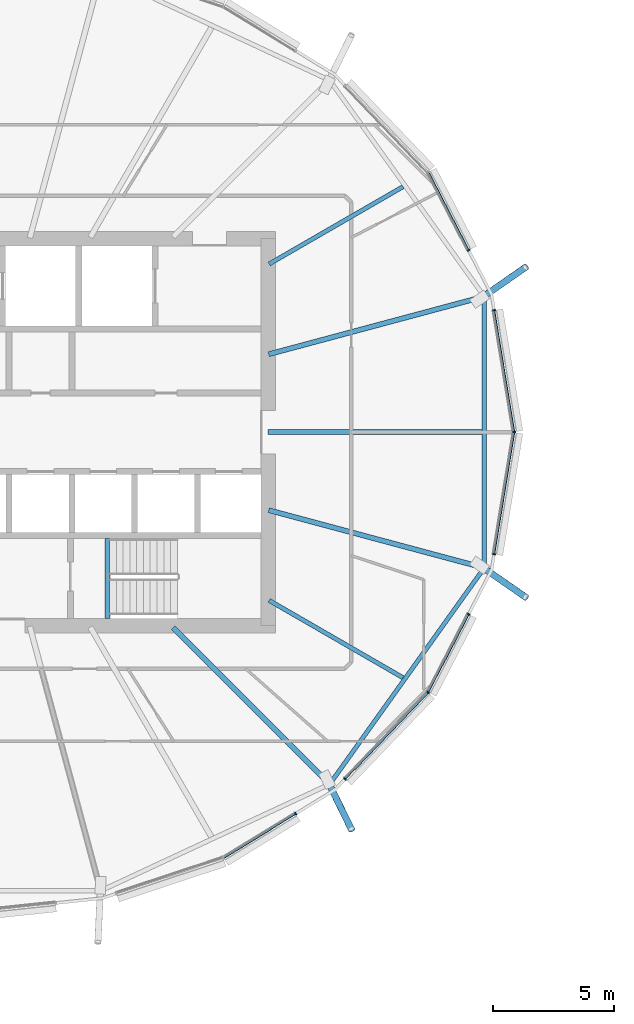
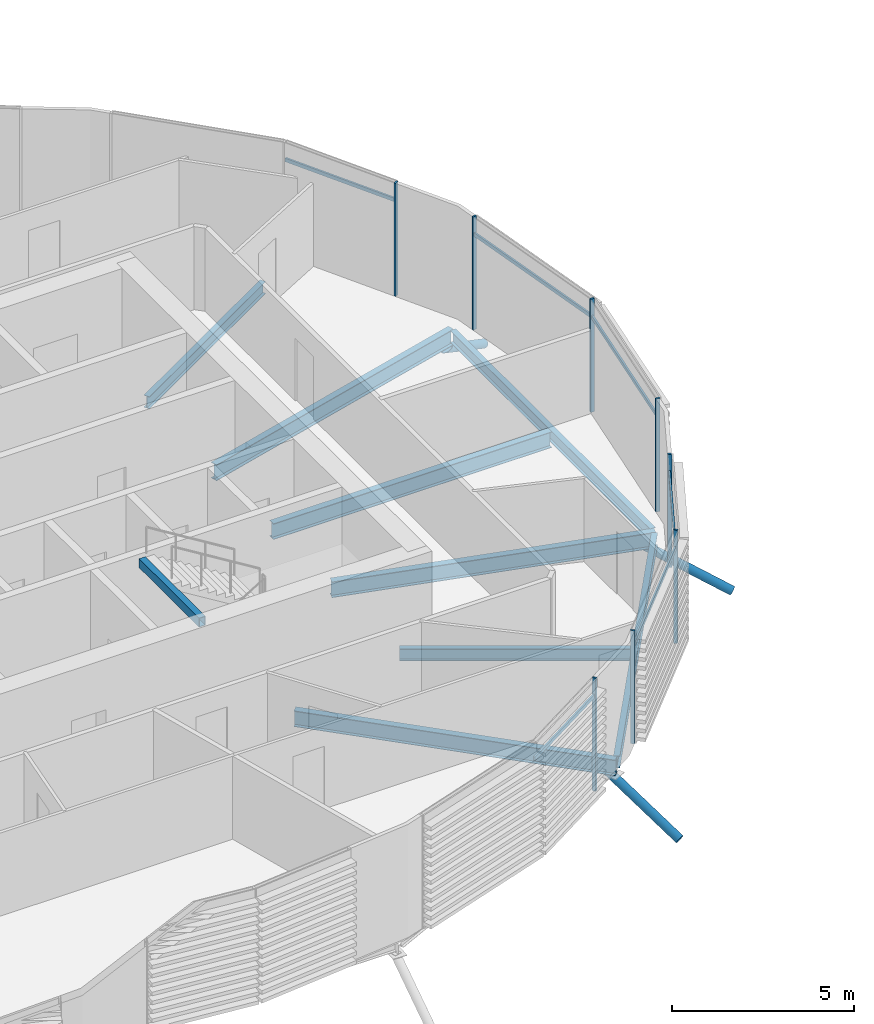
# One storey, part 6 of 36: 17 members, 9 beams, 1 element without a shape of its own.
"""IFC4 building model written with IfcOpenShell, lengths in metres."""

from ifc_helpers import new_model, si_unit, direction, frame, origin, origin_2d, place, context, subcontext, project, spatial, rectangle, hollow_rectangle, hollow_circle, i_section, extrude, clip, halfspace, material, material_profile, profile_set, type_object, element, aggregate, save


model = new_model("IFC4")

# Units and contexts
model_context = context("Model", 3, precision=1e-05, world=origin(), true_north=direction((0.0, 1.0)))
body_context = subcontext(model_context, "Body", "Model", "MODEL_VIEW")
ifc_project = project(units=[si_unit("LENGTHUNIT", "METRE"), si_unit("AREAUNIT", "SQUARE_METRE"), si_unit("VOLUMEUNIT", "CUBIC_METRE"), si_unit("PLANEANGLEUNIT", "RADIAN"), si_unit("MASSUNIT", "GRAM", prefix="KILO")], contexts=[model_context])

# Site, building, storey
site_placement = place(None, origin())
site = spatial("IfcSite", under=ifc_project, at=site_placement, CompositionType="ELEMENT")
building_placement = place(site_placement, origin())
building = spatial("IfcBuilding", under=site, at=building_placement, Name="Rimbun Link Towers", CompositionType="ELEMENT")
storey_placement = place(building_placement, frame((0.0, 0.0, 174.10009765625)))
storey = spatial("IfcBuildingStorey", under=building, at=storey_placement, Name="L42", CompositionType="ELEMENT", Elevation=174.10009765625)

# Curtain wall, members
ifc_material_1 = material(Name="Aluminium 6063-T6 and low-iron glass", Category="aluminium")
curtain_wall_type = type_object("IfcCurtainWallType", Name="CW1-Z3 unitised vision wall (zone 3)", PredefinedType="NOTDEFINED", material=ifc_material_1)
curtain_wall_placement = place(storey_placement, origin())
curtain_wall = element("IfcCurtainWall", 1, at=curtain_wall_placement, inside=storey, type_object=curtain_wall_type, Name="CW1 L42 T1", PredefinedType="NOTDEFINED")
ifc_material_2 = material(Name="Aluminium 6063-T6", Category="aluminium")
ifc_material_profile_1 = material_profile(ifc_material_2, rectangle(XDim=0.1201171875, YDim=0.06005859375, at=origin_2d()), Name="MULLION 60X120")
ifc_profile_set_1 = profile_set([ifc_material_profile_1], Name="Aluminium 6063-T6")
member_type_1 = type_object("IfcMemberType", Name="CW1 mullion 60X120", PredefinedType="MULLION", material=ifc_profile_set_1)
member_1_placement = place(storey_placement, frame((-10.400146484375, 5.044921875, 0.0), z_axis=(0.0, 0.0, 1.0), x_axis=(0.986749118387, 0.162253435593, 0.0)))
member_1 = element("IfcMember", 2, at=member_1_placement, type_object=member_type_1, Name="CW1 mullion", PredefinedType="MULLION", context=body_context, shape_type="SweptSolid", body=[
    extrude(rectangle(XDim=0.1201171875, YDim=0.06005859375, at=origin_2d()), origin(), (0.0, 0.0, 1.0), 3.7998046875),
])
member_2_placement = place(storey_placement, frame((-9.571533203125, 0.0, 0.0), z_axis=(0.0, 0.0, 1.0), x_axis=(1.0, 0.0, 0.0)))
member_2 = element("IfcMember", 3, at=member_2_placement, type_object=member_type_1, Name="CW1 mullion", PredefinedType="MULLION", context=body_context, shape_type="SweptSolid", body=[
    extrude(rectangle(XDim=0.1201171875, YDim=0.06005859375, at=origin_2d()), origin(), (0.0, 0.0, 1.0), 3.7998046875),
])
member_3_placement = place(storey_placement, frame((-11.45361328125, 7.524658203125, 0.0), z_axis=(0.0, 0.0, 1.0), x_axis=(0.888147060993, 0.459559352042, 0.0)))
member_3 = element("IfcMember", 4, at=member_3_placement, type_object=member_type_1, Name="CW1 mullion", PredefinedType="MULLION", context=body_context, shape_type="SweptSolid", body=[
    extrude(rectangle(XDim=0.1201171875, YDim=0.06005859375, at=origin_2d()), origin(), (0.0, 0.0, 1.0), 3.7998046875),
])
member_4_placement = place(storey_placement, frame((-18.6064453125, -15.776611328125, 0.0), z_axis=(0.0, 0.0, 1.0), x_axis=(0.523231382934, -0.852190659368, 0.0)))
member_4 = element("IfcMember", 5, at=member_4_placement, type_object=member_type_1, Name="CW1 mullion", PredefinedType="MULLION", context=body_context, shape_type="SweptSolid", body=[
    extrude(rectangle(XDim=0.1201171875, YDim=0.06005859375, at=origin_2d()), origin(), (0.0, 0.0, 1.0), 3.7998046875),
])
member_5_placement = place(storey_placement, frame((-13.127685546875, -10.75830078125, 0.0), z_axis=(0.0, 0.0, 1.0), x_axis=(0.813350034024, -0.581774631754, 0.0)))
member_5 = element("IfcMember", 6, at=member_5_placement, type_object=member_type_1, Name="CW1 mullion", PredefinedType="MULLION", context=body_context, shape_type="SweptSolid", body=[
    extrude(rectangle(XDim=0.1201171875, YDim=0.06005859375, at=origin_2d()), origin(), (0.0, 0.0, 1.0), 3.7998046875),
])
member_6_placement = place(storey_placement, frame((-16.56005859375, -14.339599609375, 0.0), z_axis=(0.0, 0.0, 1.0), x_axis=(0.721853979368, -0.692045397695, 0.0)))
member_6 = element("IfcMember", 7, at=member_6_placement, type_object=member_type_1, Name="CW1 mullion", PredefinedType="MULLION", context=body_context, shape_type="SweptSolid", body=[
    extrude(rectangle(XDim=0.1201171875, YDim=0.06005859375, at=origin_2d()), origin(), (0.0, 0.0, 1.0), 3.7998046875),
])
member_7_placement = place(storey_placement, frame((-11.45361328125, -7.524658203125, 0.0), z_axis=(0.0, 0.0, 1.0), x_axis=(0.888147060993, -0.459559352042, 0.0)))
member_7 = element("IfcMember", 8, at=member_7_placement, type_object=member_type_1, Name="CW1 mullion", PredefinedType="MULLION", context=body_context, shape_type="SweptSolid", body=[
    extrude(rectangle(XDim=0.1201171875, YDim=0.06005859375, at=origin_2d()), origin(), (0.0, 0.0, 1.0), 3.7998046875),
])
member_8_placement = place(storey_placement, frame((-10.400146484375, -5.044921875, 0.0), z_axis=(0.0, 0.0, 1.0), x_axis=(0.986749118387, -0.162253435593, 0.0)))
member_8 = element("IfcMember", 9, at=member_8_placement, type_object=member_type_1, Name="CW1 mullion", PredefinedType="MULLION", context=body_context, shape_type="SweptSolid", body=[
    extrude(rectangle(XDim=0.1201171875, YDim=0.06005859375, at=origin_2d()), origin(), (0.0, 0.0, 1.0), 3.7998046875),
])
ifc_material_3 = material(Name="Aluminium 6063-T6", Category="aluminium")
ifc_material_profile_2 = material_profile(ifc_material_3, rectangle(XDim=0.06005859375, YDim=0.1201171875, at=origin_2d()), Name="TRANSOM 60X120")
ifc_profile_set_2 = profile_set([ifc_material_profile_2], Name="Aluminium 6063-T6")
member_type_2 = type_object("IfcMemberType", Name="CW1 transom 60X120", PredefinedType="USERDEFINED", material=ifc_profile_set_2)
member_9_placement = place(storey_placement, frame((-10.397216796875, 5.014892578125, 3.199951171875), z_axis=(0.162239534615, -0.986751404057, 0.0), x_axis=(0.986751404057, 0.162239534615, 0.0)))
member_9 = element("IfcMember", 10, at=member_9_placement, type_object=member_type_2, Name="CW1 transom", ObjectType="TRANSOM", PredefinedType="USERDEFINED", context=body_context, shape_type="SweptSolid", body=[
    extrude(rectangle(XDim=0.06005859375, YDim=0.1201171875, at=origin_2d()), origin(), (0.0, 0.0, 1.0), 5.042724609375),
])
member_10_placement = place(storey_placement, frame((-13.111083984375, 10.723388671875, 3.199951171875), z_axis=(0.459580937927, -0.888135891345, 0.0), x_axis=(0.888135891345, 0.459580937927, 0.0)))
member_10 = element("IfcMember", 11, at=member_10_placement, type_object=member_type_2, Name="CW1 transom", ObjectType="TRANSOM", PredefinedType="USERDEFINED", context=body_context, shape_type="SweptSolid", body=[
    extrude(rectangle(XDim=0.06005859375, YDim=0.1201171875, at=origin_2d()), origin(), (0.0, 0.0, 1.0), 3.572509765625),
])
member_11_placement = place(storey_placement, frame((-18.633056640625, -15.79052734375, 3.199951171875), z_axis=(-0.852185129283, -0.523240389716, 0.0), x_axis=(0.523240389716, -0.852185129283, 0.0)))
member_11 = element("IfcMember", 12, at=member_11_placement, type_object=member_type_2, Name="CW1 transom", ObjectType="TRANSOM", PredefinedType="USERDEFINED", context=body_context, shape_type="SweptSolid", body=[
    extrude(rectangle(XDim=0.06005859375, YDim=0.1201171875, at=origin_2d()), origin(), (0.0, 0.0, 1.0), 3.43408203125),
])
member_12_placement = place(storey_placement, frame((-13.1552734375, -10.785400390625, 3.199951171875), z_axis=(-0.692052764793, -0.721846916418, 0.0), x_axis=(0.721846916418, -0.692052764793, 0.0)))
member_12 = element("IfcMember", 13, at=member_12_placement, type_object=member_type_2, Name="CW1 transom", ObjectType="TRANSOM", PredefinedType="USERDEFINED", context=body_context, shape_type="SweptSolid", body=[
    extrude(rectangle(XDim=0.06005859375, YDim=0.1201171875, at=origin_2d()), origin(), (0.0, 0.0, 1.0), 4.891845703125),
])
member_13_placement = place(storey_placement, frame((-11.46923828125, -7.550537109375, 3.199951171875), z_axis=(-0.459580937927, -0.888135891345, 0.0), x_axis=(0.888135891345, -0.459580937927, 0.0)))
member_13 = element("IfcMember", 14, at=member_13_placement, type_object=member_type_2, Name="CW1 transom", ObjectType="TRANSOM", PredefinedType="USERDEFINED", context=body_context, shape_type="SweptSolid", body=[
    extrude(rectangle(XDim=0.06005859375, YDim=0.1201171875, at=origin_2d()), origin(), (0.0, 0.0, 1.0), 3.572509765625),
])
member_14_placement = place(storey_placement, frame((-9.5791015625, -0.0390625, 3.199951171875), z_axis=(-0.162239534615, -0.986751404057, 0.0), x_axis=(0.986751404057, -0.162239534615, 0.0)))
member_14 = element("IfcMember", 15, at=member_14_placement, type_object=member_type_2, Name="CW1 transom", ObjectType="TRANSOM", PredefinedType="USERDEFINED", context=body_context, shape_type="SweptSolid", body=[
    extrude(rectangle(XDim=0.06005859375, YDim=0.1201171875, at=origin_2d()), origin(), (0.0, 0.0, 1.0), 5.042724609375),
])
aggregate(curtain_wall, [member_1, member_2, member_3, member_4, member_5, member_6, member_7, member_8, member_9, member_10, member_11, member_12, member_13, member_14])

# Members
ifc_material_4 = material(Name="Steel S355J2H", Category="steel")
ifc_material_profile_3 = material_profile(ifc_material_4, hollow_circle(Radius=0.136474609375, WallThickness=0.012451171875, at=origin_2d()), Name="CHS 273x12.5")
ifc_profile_set_3 = profile_set([ifc_material_profile_3], Name="Steel S355J2H")
member_type_3 = type_object("IfcMemberType", Name="Floor edge link CHS 273x12.5", PredefinedType="BRACE", material=ifc_profile_set_3)
member_15_placement = place(storey_placement, frame((-10.8603515625, 5.597412109375, -0.80126953125), z_axis=(0.713267069535, 0.495800471191, -0.495410920634), x_axis=(-0.570765530863, 0.821113091345, 0.0)))
element("IfcMember", 16, at=member_15_placement, inside=storey, type_object=member_type_3, Name="Floor edge link T1 L42 01", PredefinedType="BRACE", context=body_context, shape_type="Clipping", body=[
    clip(extrude(hollow_circle(Radius=0.136474609375, WallThickness=0.012451171875, at=origin_2d()), frame((0.0, 0.0, -0.498779296875)), (0.0, 0.0, 1.0), 3.005859375), halfspace(frame((0.0, 0.0, -0.234375), z_axis=(0.0, 0.868658747562, -0.495410920634)), False)),
])
member_16_placement = place(storey_placement, frame((-17.23583984375, -14.51416015625, -0.801025390625), z_axis=(0.381452024748, -0.778895993949, -0.49781058991), x_axis=(0.898084594322, 0.439822761396, 0.0)))
element("IfcMember", 17, at=member_16_placement, inside=storey, type_object=member_type_3, Name="Floor edge link T1 L42 21", PredefinedType="BRACE", context=body_context, shape_type="Clipping", body=[
    clip(extrude(hollow_circle(Radius=0.136474609375, WallThickness=0.012451171875, at=origin_2d()), frame((0.0, 0.0, -0.49560546875)), (0.0, 0.0, 1.0), 2.984130859375), halfspace(frame((0.0, 0.0, -0.232666015625), z_axis=(0.0, 0.867285775609, -0.49781058991)), False)),
])
member_17_placement = place(storey_placement, frame((-10.8603515625, -5.597412109375, -0.80126953125), z_axis=(0.713267069535, -0.495800471191, -0.495410920634), x_axis=(0.570765530863, 0.821113091345, 0.0)))
element("IfcMember", 18, at=member_17_placement, inside=storey, type_object=member_type_3, Name="Floor edge link T1 L42 23", PredefinedType="BRACE", context=body_context, shape_type="Clipping", body=[
    clip(extrude(hollow_circle(Radius=0.136474609375, WallThickness=0.012451171875, at=origin_2d()), frame((0.0, 0.0, -0.498779296875)), (0.0, 0.0, 1.0), 3.005859375), halfspace(frame((0.0, 0.0, -0.234375), z_axis=(0.0, 0.868658747562, -0.495410920634)), False)),
])

# Beams
ifc_material_5 = material(Name="Steel S355J2", Category="steel")
ifc_material_profile_4 = material_profile(ifc_material_5, hollow_rectangle(XDim=0.199951171875, YDim=0.300048828125, WallThickness=0.011962890625, at=origin_2d()), Name="BOX 300x200x12")
ifc_profile_set_4 = profile_set([ifc_material_profile_4], Name="Steel S355J2")
beam_type_1 = type_object("IfcBeamType", Name="Stair trimmer beam BOX 300x200x12", PredefinedType="BEAM", material=ifc_profile_set_4)
beam_1_placement = place(storey_placement, frame((-26.39990234375, -7.699951171875, 3.5), z_axis=(0.0, 1.0, 0.0), x_axis=(-1.0, 0.0, 0.0)))
element("IfcBeam", 19, at=beam_1_placement, inside=storey, type_object=beam_type_1, Name="L42 ST2 stair beam 1", PredefinedType="BEAM", context=body_context, shape_type="SweptSolid", body=[
    extrude(hollow_rectangle(XDim=0.199951171875, YDim=0.300048828125, WallThickness=0.011962890625, at=origin_2d()), origin(), (0.0, 0.0, 1.0), 3.300048828125),
])
ifc_material_6 = material(Name="Steel S355J2", Category="steel")
ifc_material_profile_5 = material_profile(ifc_material_6, i_section(OverallWidth=0.177978515625, OverallDepth=0.406494140625, WebThickness=0.0078125, FlangeThickness=0.0126953125, at=origin_2d()), Name="UB 406x178x60")
ifc_profile_set_5 = profile_set([ifc_material_profile_5], Name="Steel S355J2")
beam_type_2 = type_object("IfcBeamType", Name="UB 406x178x60", PredefinedType="BEAM", material=ifc_profile_set_5)
for number, where, z_axis, x_axis, name in (
    (20, (-19.70458984375, 6.954345703125, -0.353271484375), (0.866020885633, 0.500007825586, 0.0), (-0.500007825586, 0.866020885633, 0.0), "Radial beam T1 L42 02"),
    (21, (-19.70458984375, -6.954345703125, -0.353271484375), (0.866020885633, -0.500007825586, 0.0), (0.500007825586, 0.866020885633, 0.0), "Radial beam T1 L42 22"),
):
    element("IfcBeam", number, at=place(storey_placement, frame(where, z_axis=z_axis, x_axis=x_axis)), inside=storey, type_object=beam_type_2, Name=name, PredefinedType="BEAM", context=body_context, shape_type="SweptSolid", body=[
        extrude(i_section(OverallWidth=0.177978515625, OverallDepth=0.406494140625, WebThickness=0.0078125, FlangeThickness=0.0126953125, at=origin_2d()), origin(), (0.0, 0.0, 1.0), 6.3935546875),
    ])
beam_2_placement = place(storey_placement, frame((-17.13818359375, -14.46240234375, -0.353271484375), z_axis=(0.581422632699, 0.813601697506, 0.0), x_axis=(-0.813601697506, 0.581422632699, 0.0)))
element("IfcBeam", 22, at=beam_2_placement, inside=storey, type_object=beam_type_2, Name="Edge beam T1 L42 21-23", PredefinedType="BEAM", context=body_context, shape_type="SweptSolid", body=[
    extrude(i_section(OverallWidth=0.177978515625, OverallDepth=0.406494140625, WebThickness=0.0078125, FlangeThickness=0.0126953125, at=origin_2d()), origin(), (0.0, 0.0, 1.0), 10.767578125),
])
beam_3_placement = place(storey_placement, frame((-10.81201171875, -5.5009765625, -0.353271484375), z_axis=(0.0, 1.0, 0.0), x_axis=(-1.0, 0.0, 0.0)))
element("IfcBeam", 23, at=beam_3_placement, inside=storey, type_object=beam_type_2, Name="Edge beam T1 L42 23-01", PredefinedType="BEAM", context=body_context, shape_type="SweptSolid", body=[
    extrude(i_section(OverallWidth=0.177978515625, OverallDepth=0.406494140625, WebThickness=0.0078125, FlangeThickness=0.0126953125, at=origin_2d()), origin(), (0.0, 0.0, 1.0), 11.001953125),
])
ifc_material_7 = material(Name="Steel S355J2", Category="steel")
ifc_material_profile_6 = material_profile(ifc_material_7, i_section(OverallWidth=0.209228515625, OverallDepth=0.533203125, WebThickness=0.010009765625, FlangeThickness=0.015625, at=origin_2d()), Name="UB 533x210x92")
ifc_profile_set_6 = profile_set([ifc_material_profile_6], Name="Steel S355J2")
beam_type_3 = type_object("IfcBeamType", Name="UB 533x210x92", PredefinedType="BEAM", material=ifc_profile_set_6)
beam_4_placement = place(storey_placement, frame((-19.7490234375, 0.0, -0.416748046875), z_axis=(1.0, 0.0, 0.0), x_axis=(0.0, 1.0, 0.0)))
element("IfcBeam", 24, at=beam_4_placement, inside=storey, type_object=beam_type_3, Name="Radial beam T1 L42 00", PredefinedType="BEAM", context=body_context, shape_type="SweptSolid", body=[
    extrude(i_section(OverallWidth=0.209228515625, OverallDepth=0.533203125, WebThickness=0.010009765625, FlangeThickness=0.015625, at=origin_2d()), origin(), (0.0, 0.0, 1.0), 8.846923828125),
])
beam_5_placement = place(storey_placement, frame((-19.721923828125, 3.222900390625, -0.416748046875), z_axis=(0.965924541142, 0.258823841289, 0.0), x_axis=(-0.258823841289, 0.965924541142, 0.0)))
element("IfcBeam", 25, at=beam_5_placement, inside=storey, type_object=beam_type_3, Name="Radial beam T1 L42 01", PredefinedType="BEAM", context=body_context, shape_type="SweptSolid", body=[
    extrude(i_section(OverallWidth=0.209228515625, OverallDepth=0.533203125, WebThickness=0.010009765625, FlangeThickness=0.015625, at=origin_2d()), origin(), (0.0, 0.0, 1.0), 9.22412109375),
])
beam_6_placement = place(storey_placement, frame((-23.67529296875, -8.07470703125, -0.416748046875), z_axis=(0.707106781187, -0.707106781187, 0.0), x_axis=(0.707106781187, 0.707106781187, 0.0)))
element("IfcBeam", 26, at=beam_6_placement, inside=storey, type_object=beam_type_3, Name="Radial beam T1 L42 21", PredefinedType="BEAM", context=body_context, shape_type="SweptSolid", body=[
    extrude(i_section(OverallWidth=0.209228515625, OverallDepth=0.533203125, WebThickness=0.010009765625, FlangeThickness=0.015625, at=origin_2d()), origin(), (0.0, 0.0, 1.0), 9.15673828125),
])
beam_7_placement = place(storey_placement, frame((-19.721923828125, -3.222900390625, -0.416748046875), z_axis=(0.965924541142, -0.258823841289, 0.0), x_axis=(0.258823841289, 0.965924541142, 0.0)))
element("IfcBeam", 27, at=beam_7_placement, inside=storey, type_object=beam_type_3, Name="Radial beam T1 L42 23", PredefinedType="BEAM", context=body_context, shape_type="SweptSolid", body=[
    extrude(i_section(OverallWidth=0.209228515625, OverallDepth=0.533203125, WebThickness=0.010009765625, FlangeThickness=0.015625, at=origin_2d()), origin(), (0.0, 0.0, 1.0), 9.22412109375),
])

save(model, "model.ifc")
